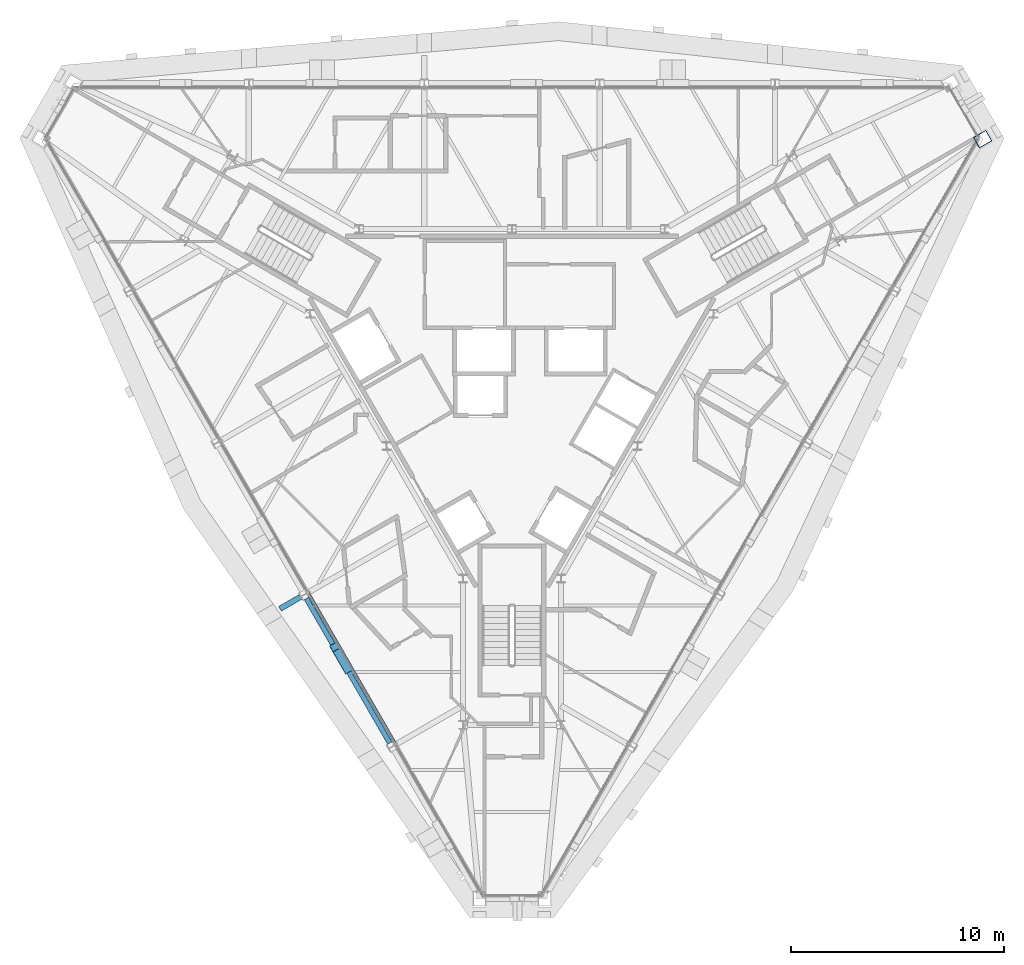
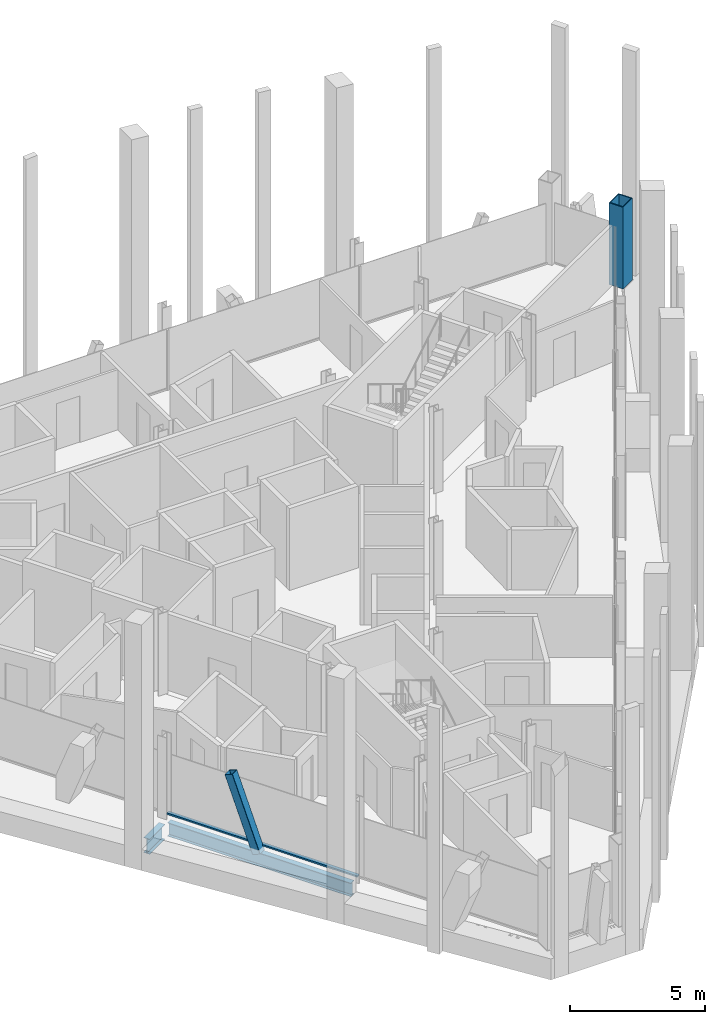
# One storey, part 2 of 13: 2 beams, 2 members, 1 column, 1 element without a shape of its own.
"""IFC4 building model written with IfcOpenShell, lengths in metres."""

from ifc_helpers import new_model, si_unit, direction, frame, origin, origin_2d, place, context, subcontext, project, spatial, rectangle, hollow_rectangle, i_section, extrude, material, material_profile, profile_set, type_object, element, aggregate, save


model = new_model("IFC4")

# Units and contexts
model_context = context("Model", 3, precision=1e-05, world=origin(), true_north=direction((0.0, 1.0)))
body_context = subcontext(model_context, "Body", "Model", "MODEL_VIEW")
ifc_project = project(units=[si_unit("LENGTHUNIT", "METRE"), si_unit("AREAUNIT", "SQUARE_METRE"), si_unit("VOLUMEUNIT", "CUBIC_METRE"), si_unit("PLANEANGLEUNIT", "RADIAN"), si_unit("MASSUNIT", "GRAM", prefix="KILO")], contexts=[model_context])

# Site, building, storey
site_placement = place(None, origin())
site = spatial("IfcSite", under=ifc_project, at=site_placement, CompositionType="ELEMENT")
building_placement = place(site_placement, origin())
building = spatial("IfcBuilding", under=site, at=building_placement, Name="Verrane Prism Tower", CompositionType="ELEMENT")
storey_placement = place(building_placement, frame((0.0, 0.0, 275.10009765625)))
storey = spatial("IfcBuildingStorey", under=building, at=storey_placement, Name="L69", CompositionType="ELEMENT", Elevation=275.10009765625)

# Column
ifc_material_1 = material(Name="Steel A572 Grade 50", Category="steel")
ifc_material_profile_1 = material_profile(ifc_material_1, hollow_rectangle(XDim=0.60009765625, YDim=0.699951171875, WallThickness=0.0400390625, at=origin_2d()), Name="BOX 700x600x40")
ifc_profile_set_1 = profile_set([ifc_material_profile_1], Name="Steel A572 Grade 50")
column_type = type_object("IfcColumnType", Name="Megacolumn BOX 700x600x40", PredefinedType="COLUMN", material=ifc_profile_set_1)
column_placement = place(storey_placement, frame((22.1201171875, 11.02001953125, 0.0), z_axis=(0.0, 0.0, 1.0), x_axis=(0.5, -0.866025403784, 0.0)))
element("IfcColumn", 1, at=column_placement, inside=storey, type_object=column_type, Name="Megacolumn MC-NE.a L69", PredefinedType="COLUMN", context=body_context, shape_type="SweptSolid", body=[
    extrude(hollow_rectangle(XDim=0.60009765625, YDim=0.699951171875, WallThickness=0.0400390625, at=origin_2d()), origin(), (0.0, 0.0, 1.0), 3.699951171875),
])

# Member
ifc_material_2 = material(Name="Steel A500 Grade C", Category="steel")
ifc_material_profile_2 = material_profile(ifc_material_2, hollow_rectangle(XDim=0.355712890625, YDim=0.355712890625, WallThickness=0.0126953125, InnerFilletRadius=0.00634765625, OuterFilletRadius=0.01904296875, at=origin_2d()), Name="HSS14x14x1/2")
ifc_profile_set_2 = profile_set([ifc_material_profile_2], Name="Steel A500 Grade C")
member_type_1 = type_object("IfcMemberType", Name="Facade brace HSS14x14x1/2", PredefinedType="BRACE", material=ifc_profile_set_2)
member_1_placement = place(storey_placement, frame((-7.74658203125, -13.87890625, -0.216796875), z_axis=(-0.174002769202, 0.301461587794, 0.937466771355), x_axis=(-0.86608282171, -0.499900536046, 0.0)))
element("IfcMember", 2, at=member_1_placement, inside=storey, type_object=member_type_1, Name="Facade brace SW3 L69", PredefinedType="BRACE", context=body_context, shape_type="SweptSolid", body=[
    extrude(hollow_rectangle(XDim=0.355712890625, YDim=0.355712890625, WallThickness=0.0126953125, InnerFilletRadius=0.00634765625, OuterFilletRadius=0.01904296875, at=origin_2d()), origin(), (0.0, 0.0, 1.0), 3.409423828125),
])

# Beams
ifc_material_3 = material(Name="Steel A992", Category="steel")
ifc_material_profile_3 = material_profile(ifc_material_3, i_section(OverallWidth=0.25390625, OverallDepth=0.683349609375, WebThickness=0.012451171875, FlangeThickness=0.01904296875, FilletRadius=0.01513671875, at=origin_2d()), Name="W27x94")
ifc_profile_set_3 = profile_set([ifc_material_profile_3], Name="Steel A992")
beam_type_1 = type_object("IfcBeamType", Name="Radial girder W27x94", PredefinedType="BEAM", material=ifc_profile_set_3)
beam_1_placement = place(storey_placement, frame((-9.919189453125, -10.48193359375, -0.561767578125), z_axis=(-0.866066817379, -0.499928262689, 0.0), x_axis=(0.499928262689, -0.866066817379, 0.0)))
element("IfcBeam", 3, at=beam_1_placement, inside=storey, type_object=beam_type_1, Name="Cantilever girder L69", PredefinedType="BEAM", context=body_context, shape_type="SweptSolid", body=[
    extrude(i_section(OverallWidth=0.25390625, OverallDepth=0.683349609375, WebThickness=0.012451171875, FlangeThickness=0.01904296875, FilletRadius=0.01513671875, at=origin_2d()), origin(), (0.0, 0.0, 1.0), 1.129638671875),
])
ifc_material_4 = material(Name="Steel A992", Category="steel")
ifc_material_profile_4 = material_profile(ifc_material_4, i_section(OverallWidth=0.23046875, OverallDepth=0.6171875, WebThickness=0.01318359375, FlangeThickness=0.022216796875, FilletRadius=0.012939453125, at=origin_2d()), Name="W24x94")
ifc_profile_set_4 = profile_set([ifc_material_profile_4], Name="Steel A992")
beam_type_2 = type_object("IfcBeamType", Name="Spandrel beam W24x94", PredefinedType="SPANDREL", material=ifc_profile_set_4)
beam_2_placement = place(storey_placement, frame((-9.66162109375, -10.560546875, -0.46875), z_axis=(0.499798737888, -0.866141571341, 0.0), x_axis=(0.866141571341, 0.499798737888, 0.0)))
element("IfcBeam", 4, at=beam_2_placement, inside=storey, type_object=beam_type_2, Name="Spandrel beam L69", PredefinedType="SPANDREL", context=body_context, shape_type="SweptSolid", body=[
    extrude(i_section(OverallWidth=0.23046875, OverallDepth=0.6171875, WebThickness=0.01318359375, FlangeThickness=0.022216796875, FilletRadius=0.012939453125, at=origin_2d()), origin(), (0.0, 0.0, 1.0), 7.849853515625),
])

# Curtain wall, member
ifc_material_5 = material(Name="Aluminium framed insulated glazing", Category="aluminium")
curtain_wall_type = type_object("IfcCurtainWallType", Name="Curtain wall CW-A 8400 module", PredefinedType="NOTDEFINED", material=ifc_material_5)
curtain_wall_placement = place(storey_placement, origin())
curtain_wall = element("IfcCurtainWall", 5, at=curtain_wall_placement, inside=storey, type_object=curtain_wall_type, Name="Glazed curtain wall south-west face L69", PredefinedType="NOTDEFINED")
ifc_material_6 = material(Name="Aluminium alloy 6063-T6", Category="aluminium")
ifc_material_profile_5 = material_profile(ifc_material_6, rectangle(XDim=0.14990234375, YDim=0.070068359375, at=origin_2d()), Name="Transom 70x150 aluminium")
ifc_profile_set_5 = profile_set([ifc_material_profile_5], Name="Aluminium alloy 6063-T6")
member_type_2 = type_object("IfcMemberType", Name="Transom 70x150 aluminium", PredefinedType="USERDEFINED", material=ifc_profile_set_5)
member_2_placement = place(storey_placement, frame((-9.573486328125, -10.3125, 0.034912109375), z_axis=(0.499993044538, -0.866029419485, 0.0), x_axis=(0.866029419485, 0.499993044538, 0.0)))
member_2 = element("IfcMember", 6, at=member_2_placement, type_object=member_type_2, Name="CW69.4 transom 4", ObjectType="TRANSOM", PredefinedType="USERDEFINED", context=body_context, shape_type="SweptSolid", body=[
    extrude(rectangle(XDim=0.14990234375, YDim=0.070068359375, at=origin_2d()), origin(), (0.0, 0.0, 1.0), 8.1484375),
])
aggregate(curtain_wall, [member_2])

save(model, "model.ifc")
